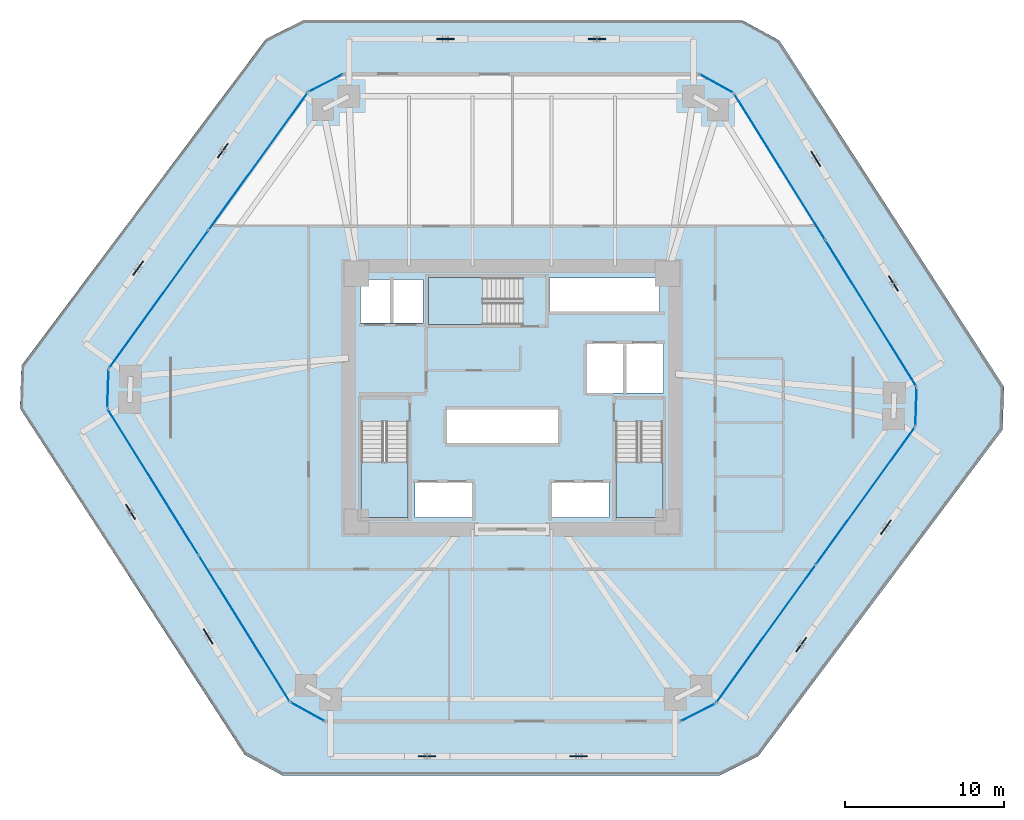
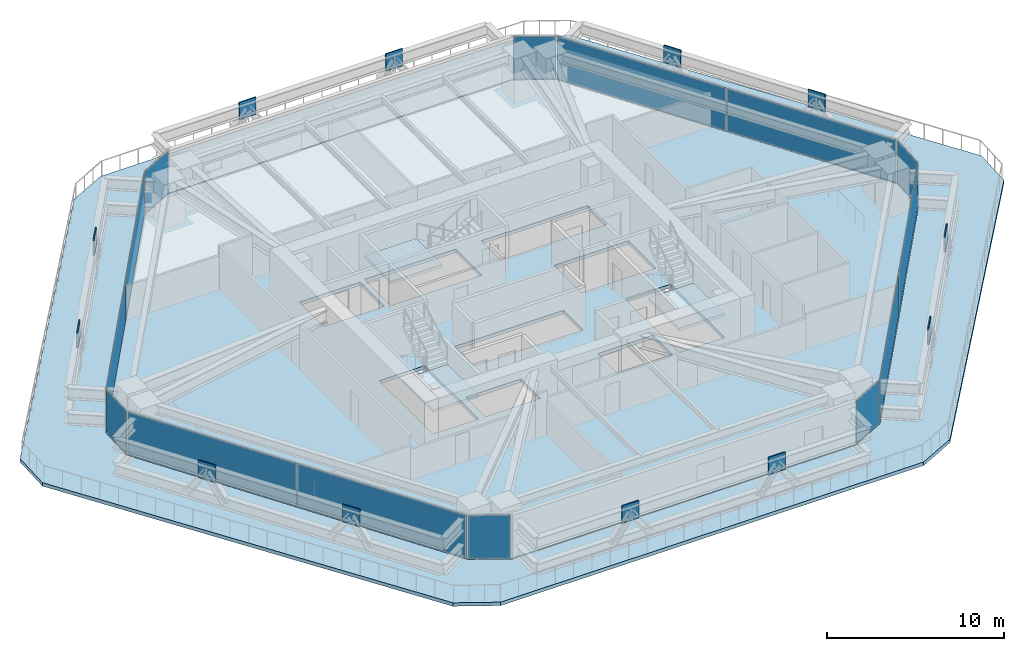
# One storey, part 10 of 20: 26 plates, 5 slabs, 13 elements without a shape of their own.
"""IFC4 building model written with IfcOpenShell, lengths in metres."""

from ifc_helpers import new_model, si_unit, direction, frame, origin, origin_2d, place, context, subcontext, project, spatial, polyline, rectangle, outline, extrude, source, transform, mapped, material, layer, layer_set, type_object, type_shapes, element, aggregate, save


model = new_model("IFC4")

# Units and contexts
model_context = context("Model", 3, precision=1e-05, world=origin(), true_north=direction((0.0, 1.0)))
body_context = subcontext(model_context, "Body", "Model", "MODEL_VIEW")
ifc_project = project(units=[si_unit("LENGTHUNIT", "METRE"), si_unit("AREAUNIT", "SQUARE_METRE"), si_unit("VOLUMEUNIT", "CUBIC_METRE"), si_unit("PLANEANGLEUNIT", "RADIAN"), si_unit("MASSUNIT", "GRAM", prefix="KILO")], contexts=[model_context])

# Site, building, storey
site_placement = place(None, origin())
site = spatial("IfcSite", under=ifc_project, at=site_placement, CompositionType="ELEMENT")
building_placement = place(site_placement, origin())
building = spatial("IfcBuilding", under=site, at=building_placement, Name="Durnholm Broadcast Tower", CompositionType="ELEMENT")
storey_placement = place(building_placement, frame((0.0, 0.0, 32.39990234375)))
storey = spatial("IfcBuildingStorey", under=building, at=storey_placement, Name="L06", CompositionType="ELEMENT", Elevation=32.39990234375)

# Slab
ifc_material_1 = material(Name="Concrete C50/60", Category="concrete")
ifc_layer_1 = layer(ifc_material_1, 0.239990234375)
ifc_layer_set_1 = layer_set([ifc_layer_1], Name="Concrete C50/60")
slab_type_1 = type_object("IfcSlabType", Name="SLAB-FLR-240", PredefinedType="FLOOR", material=ifc_layer_set_1)
slab_1_placement = place(storey_placement, frame((0.0, 0.0, -0.239990234375)))
element("IfcSlab", 1, at=slab_1_placement, inside=storey, type_object=slab_type_1, Name="L06 structural floor slab", PredefinedType="FLOOR", context=body_context, shape_type="SweptSolid", body=[
    extrude(outline(polyline([(-13.9794921875, -19.186279296875), (-11.793701171875, -20.39990234375), (10.6201171875, -20.39990234375), (12.845703125, -19.260986328125), (25.419921875, -1.820556640625), (25.50439453125, 0.677978515625), (13.9794921875, 19.186279296875), (11.793701171875, 20.39990234375), (-10.6201171875, 20.39990234375), (-12.845703125, 19.260986328125), (-25.419921875, 1.820556640625), (-25.50439453125, -0.677978515625), (-13.9794921875, -19.186279296875)]), holes=[polyline([(-2.5, -5.35009765625), (-6.10009765625, -5.35009765625), (-6.10009765625, -7.550048828125), (-2.5, -7.550048828125), (-2.5, -5.35009765625)]), polyline([(6.10009765625, -5.35009765625), (2.5, -5.35009765625), (2.5, -7.550048828125), (6.10009765625, -7.550048828125), (6.10009765625, -5.35009765625)]), polyline([(-6.5400390625, -7.550048828125), (-6.5400390625, -1.5), (-9.5, -1.5), (-9.5, -7.550048828125), (-6.5400390625, -7.550048828125)]), polyline([(9.5, -7.550048828125), (9.5, -1.5), (6.5400390625, -1.5), (6.5400390625, -7.550048828125), (9.5, -7.550048828125)]), polyline([(2.949951171875, -0.699951171875), (-4.14990234375, -0.699951171875), (-4.14990234375, -2.89990234375), (2.949951171875, -2.89990234375), (2.949951171875, -0.699951171875)]), polyline([(9.550048828125, 3.39990234375), (4.699951171875, 3.39990234375), (4.699951171875, 0.300048828125), (9.550048828125, 0.300048828125), (9.550048828125, 3.39990234375)]), polyline([(-5.60009765625, 7.449951171875), (-9.550048828125, 7.449951171875), (-9.550048828125, 4.699951171875), (-5.60009765625, 4.699951171875), (-5.60009765625, 7.449951171875)]), polyline([(-5.25, 7.56005859375), (-5.25, 4.60009765625), (0.699951171875, 4.60009765625), (0.699951171875, 7.56005859375), (-5.25, 7.56005859375)]), polyline([(9.31005859375, 5.39990234375), (9.31005859375, 7.550048828125), (2.35009765625, 7.550048828125), (2.35009765625, 5.39990234375), (9.31005859375, 5.39990234375)])]), origin(), (0.0, 0.0, 1.0), 0.239990234375),
])

# Stair, slab
stair_type = type_object("IfcStairType", Name="STAIR-DL-20R1650", PredefinedType="HALF_TURN_STAIR", material=ifc_material_1)
stair_1_placement = place(storey_placement, origin())
stair_1 = element("IfcStair", 2, at=stair_1_placement, inside=storey, type_object=stair_type, Name="L06 ST-1", PredefinedType="HALF_TURN_STAIR")
ifc_layer_2 = layer(ifc_material_1, 0.199951171875)
ifc_layer_set_2 = layer_set([ifc_layer_2], Name="Concrete C50/60")
slab_type_2 = type_object("IfcSlabType", Name="SLAB-LND-200", PredefinedType="LANDING", material=ifc_layer_set_2)
slab_2_placement = place(storey_placement, frame((0.0, 0.0, 1.4501953125)))
slab_2 = element("IfcSlab", 3, at=slab_2_placement, type_object=slab_type_2, Name="ST-1 landing 1", PredefinedType="LANDING", context=body_context, shape_type="SweptSolid", body=[
    extrude(outline(polyline([(-9.5, -4.06494140625), (-9.5, -7.550048828125), (-6.5400390625, -7.550048828125), (-6.5400390625, -4.06494140625), (-9.5, -4.06494140625)])), origin(), (0.0, 0.0, 1.0), 0.199951171875),
])
aggregate(stair_1, [slab_2])

stair_2_placement = place(storey_placement, origin())
stair_2 = element("IfcStair", 4, at=stair_2_placement, inside=storey, type_object=stair_type, Name="L06 ST-2", PredefinedType="HALF_TURN_STAIR")
slab_3_placement = place(storey_placement, frame((0.0, 0.0, 1.4501953125)))
slab_3 = element("IfcSlab", 5, at=slab_3_placement, type_object=slab_type_2, Name="ST-2 landing 1", PredefinedType="LANDING", context=body_context, shape_type="SweptSolid", body=[
    extrude(outline(polyline([(6.5400390625, -4.06494140625), (6.5400390625, -7.550048828125), (9.5, -7.550048828125), (9.5, -4.06494140625), (6.5400390625, -4.06494140625)])), origin(), (0.0, 0.0, 1.0), 0.199951171875),
])
aggregate(stair_2, [slab_3])

stair_3_placement = place(storey_placement, origin())
stair_3 = element("IfcStair", 6, at=stair_3_placement, inside=storey, type_object=stair_type, Name="L06 ST-3", PredefinedType="HALF_TURN_STAIR")
slab_4_placement = place(storey_placement, frame((0.0, 0.0, 1.4501953125)))
slab_4 = element("IfcSlab", 7, at=slab_4_placement, type_object=slab_type_2, Name="ST-3 landing 1", PredefinedType="LANDING", context=body_context, shape_type="SweptSolid", body=[
    extrude(outline(polyline([(-1.864990234375, 7.56005859375), (-5.25, 7.56005859375), (-5.25, 4.60009765625), (-1.864990234375, 4.60009765625), (-1.864990234375, 7.56005859375)])), origin(), (0.0, 0.0, 1.0), 0.199951171875),
])
aggregate(stair_3, [slab_4])

# Slab
ifc_layer_3 = layer(ifc_material_1, 0.239990234375)
ifc_layer_set_3 = layer_set([ifc_layer_3], Name="Concrete C50/60")
slab_type_3 = type_object("IfcSlabType", Name="SLAB-TERR-240", PredefinedType="FLOOR", material=ifc_layer_set_3)
slab_5_placement = place(storey_placement, frame((0.0, 0.0, -0.239990234375)))
element("IfcSlab", 8, at=slab_5_placement, inside=storey, type_object=slab_type_3, Name="L06 setback planted sky terrace slab 1", PredefinedType="FLOOR", context=body_context, shape_type="SweptSolid", body=[
    extrude(outline(polyline([(-31.00439453125, -0.681396484375), (-16.847412109375, -22.510986328125), (-14.47509765625, -23.800048828125), (13.102783203125, -23.800048828125), (15.51708984375, -22.59130859375), (30.913818359375, -2.01708984375), (31.00439453125, 0.681396484375), (16.847412109375, 22.510986328125), (14.47509765625, 23.800048828125), (-13.102783203125, 23.800048828125), (-15.51708984375, 22.59130859375), (-30.913818359375, 2.01708984375), (-31.00439453125, -0.681396484375)]), holes=[polyline([(-14.001220703125, -19.20703125), (-13.998779296875, -19.208984375), (-13.99658203125, -19.2109375), (-13.993896484375, -19.21240234375), (-11.808349609375, -20.42626953125), (-11.8056640625, -20.427490234375), (-11.802734375, -20.4287109375), (-11.7998046875, -20.429443359375), (-11.796875, -20.4296875), (-11.793701171875, -20.429931640625), (10.6201171875, -20.429931640625), (10.623046875, -20.429931640625), (10.625732421875, -20.429443359375), (10.628662109375, -20.4287109375), (10.63134765625, -20.427978515625), (10.6337890625, -20.4267578125), (12.859375, -19.28759765625), (12.86181640625, -19.286376953125), (12.864013671875, -19.28466796875), (12.8662109375, -19.28271484375), (12.868408203125, -19.28076171875), (12.8701171875, -19.278564453125), (25.444091796875, -1.837890625), (25.44580078125, -1.835693359375), (25.447021484375, -1.8330078125), (25.4482421875, -1.830078125), (25.448974609375, -1.827392578125), (25.449462890625, -1.824462890625), (25.44970703125, -1.821533203125), (25.534423828125, 0.677001953125), (25.5341796875, 0.679931640625), (25.533935546875, 0.68310546875), (25.533447265625, 0.685791015625), (25.532470703125, 0.688720703125), (25.53125, 0.69140625), (25.52978515625, 0.694091796875), (14.0048828125, 19.2021484375), (14.003173828125, 19.20458984375), (14.001220703125, 19.20703125), (13.998779296875, 19.208984375), (13.99658203125, 19.2109375), (13.993896484375, 19.21240234375), (11.808349609375, 20.42626953125), (11.8056640625, 20.427490234375), (11.802734375, 20.4287109375), (11.7998046875, 20.429443359375), (11.796875, 20.4296875), (11.793701171875, 20.429931640625), (-10.6201171875, 20.429931640625), (-10.623046875, 20.429931640625), (-10.625732421875, 20.429443359375), (-10.628662109375, 20.4287109375), (-10.63134765625, 20.427978515625), (-10.6337890625, 20.4267578125), (-12.859375, 19.28759765625), (-12.86181640625, 19.286376953125), (-12.864013671875, 19.28466796875), (-12.8662109375, 19.28271484375), (-12.868408203125, 19.28076171875), (-12.8701171875, 19.278564453125), (-25.444091796875, 1.837890625), (-25.44580078125, 1.835693359375), (-25.447021484375, 1.8330078125), (-25.4482421875, 1.830078125), (-25.448974609375, 1.827392578125), (-25.449462890625, 1.824462890625), (-25.44970703125, 1.821533203125), (-25.534423828125, -0.677001953125), (-25.5341796875, -0.679931640625), (-25.533935546875, -0.68310546875), (-25.533447265625, -0.685791015625), (-25.532470703125, -0.688720703125), (-25.53125, -0.69140625), (-25.52978515625, -0.694091796875), (-14.0048828125, -19.2021484375), (-14.003173828125, -19.20458984375), (-14.001220703125, -19.20703125)])]), origin(), (0.0, 0.0, 1.0), 0.239990234375),
])

# Plates
ifc_material_2 = material(Name="Steel ASTM A572 Grade 50", Category="steel")
ifc_layer_4 = layer(ifc_material_2, 0.074951171875)
ifc_layer_set_4 = layer_set([ifc_layer_4], Name="Steel ASTM A572 Grade 50")
plate_type_1 = type_object("IfcPlateType", Name="PLT-KN03-GUS", PredefinedType="USERDEFINED", material=ifc_layer_set_4)
shared_shape_1 = source(origin(), body_context, "Body", "SweptSolid", [
    extrude(rectangle(XDim=1.10009765625, YDim=0.074951171875, at=origin_2d()), origin(), (0.0, 0.0, 1.0), 1.199951171875),
])
type_shapes(plate_type_1, [shared_shape_1])
for number, where, z_axis, x_axis, name in (
    (9, (-5.351318359375, -22.60009765625, 1.70849609375), (0.0, 0.0, 1.0), (1.0, 0.0, 0.0), "L06 welded diagrid node gusset plate KN03 F1"),
    (10, (4.202880859375, -22.60009765625, 1.70849609375), (0.0, 0.0, 1.0), (1.0, 0.0, 0.0), "L06 welded diagrid node gusset plate KN03 F1"),
    (11, (18.223388671875, -15.56396484375, 1.70849609375), (0.0, 0.0, 1.0), (0.584816108738, 0.81116590101, 0.0), "L06 welded diagrid node gusset plate KN03 F2"),
    (12, (23.5595703125, -8.16259765625, 1.70849609375), (0.0, 0.0, 1.0), (0.584816108738, 0.81116590101, 0.0), "L06 welded diagrid node gusset plate KN03 F2"),
    (13, (24.036376953125, 7.197509765625, 1.70849609375), (0.0, 0.0, 1.0), (-0.528586500185, 0.848879444811, 0.0), "L06 welded diagrid node gusset plate KN03 F3"),
    (14, (19.14892578125, 15.04638671875, 1.70849609375), (0.0, 0.0, 1.0), (-0.528586500185, 0.848879444811, 0.0), "L06 welded diagrid node gusset plate KN03 F3"),
    (15, (5.351318359375, 22.60009765625, 1.70849609375), (0.0, 0.0, 1.0), (-1.0, 0.0, 0.0), "L06 welded diagrid node gusset plate KN03 F4"),
    (16, (-4.202880859375, 22.60009765625, 1.70849609375), (0.0, 0.0, 1.0), (-1.0, 0.0, 0.0), "L06 welded diagrid node gusset plate KN03 F4"),
    (17, (-18.223388671875, 15.56396484375, 1.70849609375), (0.0, 0.0, 1.0), (-0.584816108738, -0.81116590101, 0.0), "L06 welded diagrid node gusset plate KN03 F5"),
    (18, (-23.5595703125, 8.16259765625, 1.70849609375), (0.0, 0.0, 1.0), (-0.584816108738, -0.81116590101, 0.0), "L06 welded diagrid node gusset plate KN03 F5"),
    (19, (-24.036376953125, -7.197509765625, 1.70849609375), (0.0, 0.0, 1.0), (0.528586500185, -0.848879444811, 0.0), "L06 welded diagrid node gusset plate KN03 F6"),
    (20, (-19.14892578125, -15.04638671875, 1.70849609375), (0.0, 0.0, 1.0), (0.528586500185, -0.848879444811, 0.0), "L06 welded diagrid node gusset plate KN03 F6"),
):
    element("IfcPlate", number, at=place(storey_placement, frame(where, z_axis=z_axis, x_axis=x_axis)), inside=storey, type_object=plate_type_1, Name=name, ObjectType="GUSSET_PLATE", PredefinedType="USERDEFINED", context=body_context, shape_type="MappedRepresentation", body=[
        mapped(shared_shape_1, transform((0.0, 0.0, 0.0), x_axis=(1.0, 0.0, 0.0), y_axis=(0.0, 1.0, 0.0), z_axis=(0.0, 0.0, 1.0), scale=1.0)),
    ])

# Curtain wall, plate
ifc_material_3 = material(Name="Aluminium and Solar Control IGU", Category="aluminium")
ifc_layer_5 = layer(ifc_material_3, 0.1650390625)
ifc_layer_set_5 = layer_set([ifc_layer_5], Name="Aluminium and Solar Control IGU")
curtain_wall_type_1 = type_object("IfcCurtainWallType", Name="CW-SYS-5", PredefinedType="NOTDEFINED", material=ifc_layer_set_5)
curtain_wall_1_placement = place(storey_placement, origin())
curtain_wall_1 = element("IfcCurtainWall", 21, at=curtain_wall_1_placement, inside=storey, type_object=curtain_wall_type_1, Name="L06 curtain wall CW-CORNER CW-L06-CRN-01", PredefinedType="NOTDEFINED")
ifc_material_4 = material(Name="Low-E Laminated Insulating Glass", Category="glass")
ifc_layer_6 = layer(ifc_material_4, 0.030029296875)
ifc_layer_set_6 = layer_set([ifc_layer_6], Name="Low-E Laminated Insulating Glass")
plate_type_2 = type_object("IfcPlateType", Name="CW-SYS-5-PNL", PredefinedType="CURTAIN_PANEL", material=ifc_layer_set_6)
shared_shape_2 = source(origin(), body_context, "Body", "SweptSolid", [
    extrude(rectangle(XDim=2.3701171875, YDim=0.030029296875, at=origin_2d()), origin(), (0.0, 0.0, 1.0), 2.929931640625),
])
plate_1_placement = place(storey_placement, frame((-25.462158203125, 0.5712890625, 0.06494140625), z_axis=(0.0, 0.0, 1.0), x_axis=(0.033839569233, 0.999427277772, 0.0)))
plate_1 = element("IfcPlate", 22, at=plate_1_placement, type_object=plate_type_2, Name="CW-CORNER panel 1.1", PredefinedType="CURTAIN_PANEL", context=body_context, shape_type="MappedRepresentation", body=[
    mapped(shared_shape_2, transform((0.0, 0.0, 0.0), x_axis=(1.0, 0.0, 0.0), y_axis=(0.0, 1.0, 0.0), z_axis=(0.0, 0.0, 1.0), scale=1.0)),
])
aggregate(curtain_wall_1, [plate_1])

curtain_wall_2_placement = place(storey_placement, origin())
curtain_wall_2 = element("IfcCurtainWall", 23, at=curtain_wall_2_placement, inside=storey, type_object=curtain_wall_type_1, Name="L06 curtain wall CW-CORNER CW-L06-CRN-03", PredefinedType="NOTDEFINED")
plate_2_placement = place(storey_placement, frame((-11.73291015625, 19.83056640625, 0.06494140625), z_axis=(0.0, 0.0, 1.0), x_axis=(0.890187804512, 0.455593758406, 0.0)))
plate_2 = element("IfcPlate", 24, at=plate_2_placement, type_object=plate_type_2, Name="CW-CORNER panel 1.1", PredefinedType="CURTAIN_PANEL", context=body_context, shape_type="MappedRepresentation", body=[
    mapped(shared_shape_2, transform((0.0, 0.0, 0.0), x_axis=(1.0, 0.0, 0.0), y_axis=(0.0, 1.0, 0.0), z_axis=(0.0, 0.0, 1.0), scale=1.0)),
])
aggregate(curtain_wall_2, [plate_2])

curtain_wall_3_placement = place(storey_placement, origin())
curtain_wall_3 = element("IfcCurtainWall", 25, at=curtain_wall_3_placement, inside=storey, type_object=curtain_wall_type_1, Name="L06 curtain wall CW-CORNER CW-L06-CRN-07", PredefinedType="NOTDEFINED")
plate_3_placement = place(storey_placement, frame((25.462158203125, -0.5712890625, 0.06494140625), z_axis=(0.0, 0.0, 1.0), x_axis=(-0.033839569233, -0.999427277772, 0.0)))
plate_3 = element("IfcPlate", 26, at=plate_3_placement, type_object=plate_type_2, Name="CW-CORNER panel 1.1", PredefinedType="CURTAIN_PANEL", context=body_context, shape_type="MappedRepresentation", body=[
    mapped(shared_shape_2, transform((0.0, 0.0, 0.0), x_axis=(1.0, 0.0, 0.0), y_axis=(0.0, 1.0, 0.0), z_axis=(0.0, 0.0, 1.0), scale=1.0)),
])
aggregate(curtain_wall_3, [plate_3])

curtain_wall_4_placement = place(storey_placement, origin())
curtain_wall_4 = element("IfcCurtainWall", 27, at=curtain_wall_4_placement, inside=storey, type_object=curtain_wall_type_1, Name="L06 curtain wall CW-CORNER CW-L06-CRN-09", PredefinedType="NOTDEFINED")
plate_4_placement = place(storey_placement, frame((11.73291015625, -19.83056640625, 0.06494140625), z_axis=(0.0, 0.0, 1.0), x_axis=(-0.890187804512, -0.455593758406, 0.0)))
plate_4 = element("IfcPlate", 28, at=plate_4_placement, type_object=plate_type_2, Name="CW-CORNER panel 1.1", PredefinedType="CURTAIN_PANEL", context=body_context, shape_type="MappedRepresentation", body=[
    mapped(shared_shape_2, transform((0.0, 0.0, 0.0), x_axis=(1.0, 0.0, 0.0), y_axis=(0.0, 1.0, 0.0), z_axis=(0.0, 0.0, 1.0), scale=1.0)),
])
aggregate(curtain_wall_4, [plate_4])

# Curtain wall, plates
ifc_layer_7 = layer(ifc_material_3, 0.18994140625)
ifc_layer_set_7 = layer_set([ifc_layer_7], Name="Aluminium and Solar Control IGU")
curtain_wall_type_2 = type_object("IfcCurtainWallType", Name="CW-SYS-3", PredefinedType="NOTDEFINED", material=ifc_layer_set_7)
curtain_wall_5_placement = place(storey_placement, origin())
curtain_wall_5 = element("IfcCurtainWall", 29, at=curtain_wall_5_placement, inside=storey, type_object=curtain_wall_type_2, Name="L06 curtain wall CW-Z12-VIS CW-L06-F02", PredefinedType="NOTDEFINED")
ifc_layer_8 = layer(ifc_material_4, 0.031982421875)
ifc_layer_set_8 = layer_set([ifc_layer_8], Name="Low-E Laminated Insulating Glass")
plate_type_3 = type_object("IfcPlateType", Name="CW-SYS-3-PNL", PredefinedType="CURTAIN_PANEL", material=ifc_layer_set_8)
shared_shape_3 = source(origin(), body_context, "Body", "SweptSolid", [
    extrude(rectangle(XDim=10.645263671875, YDim=0.031982421875, at=origin_2d()), origin(), (0.0, 0.0, 1.0), 2.919921875),
])
plate_5_placement = place(storey_placement, frame((-22.26611328125, 6.19482421875, 0.070068359375), z_axis=(0.0, 0.0, 1.0), x_axis=(0.584823496176, 0.81116057493, 0.0)))
plate_5 = element("IfcPlate", 30, at=plate_5_placement, type_object=plate_type_3, Name="CW-Z12-VIS panel 1.1", PredefinedType="CURTAIN_PANEL", context=body_context, shape_type="MappedRepresentation", body=[
    mapped(shared_shape_3, transform((0.0, 0.0, 0.0), x_axis=(1.0, 0.0, 0.0), y_axis=(0.0, 1.0, 0.0), z_axis=(0.0, 0.0, 1.0), scale=1.0)),
])
plate_6_placement = place(storey_placement, frame((-15.99951171875, 14.88671875, 0.070068359375), z_axis=(0.0, 0.0, 1.0), x_axis=(0.584823496176, 0.81116057493, 0.0)))
plate_6 = element("IfcPlate", 31, at=plate_6_placement, type_object=plate_type_3, Name="CW-Z12-VIS panel 2.1", PredefinedType="CURTAIN_PANEL", context=body_context, shape_type="MappedRepresentation", body=[
    mapped(shared_shape_3, transform((0.0, 0.0, 0.0), x_axis=(1.0, 0.0, 0.0), y_axis=(0.0, 1.0, 0.0), z_axis=(0.0, 0.0, 1.0), scale=1.0)),
])
aggregate(curtain_wall_5, [plate_5, plate_6])

curtain_wall_6_placement = place(storey_placement, origin())
curtain_wall_6 = element("IfcCurtainWall", 32, at=curtain_wall_6_placement, inside=storey, type_object=curtain_wall_type_2, Name="L06 curtain wall CW-Z12-VIS CW-L06-F08", PredefinedType="NOTDEFINED")
plate_7_placement = place(storey_placement, frame((22.26611328125, -6.19482421875, 0.070068359375), z_axis=(0.0, 0.0, 1.0), x_axis=(-0.584823496176, -0.81116057493, 0.0)))
plate_7 = element("IfcPlate", 33, at=plate_7_placement, type_object=plate_type_3, Name="CW-Z12-VIS panel 1.1", PredefinedType="CURTAIN_PANEL", context=body_context, shape_type="MappedRepresentation", body=[
    mapped(shared_shape_3, transform((0.0, 0.0, 0.0), x_axis=(1.0, 0.0, 0.0), y_axis=(0.0, 1.0, 0.0), z_axis=(0.0, 0.0, 1.0), scale=1.0)),
])
plate_8_placement = place(storey_placement, frame((15.99951171875, -14.88671875, 0.070068359375), z_axis=(0.0, 0.0, 1.0), x_axis=(-0.584823496176, -0.81116057493, 0.0)))
plate_8 = element("IfcPlate", 34, at=plate_8_placement, type_object=plate_type_3, Name="CW-Z12-VIS panel 2.1", PredefinedType="CURTAIN_PANEL", context=body_context, shape_type="MappedRepresentation", body=[
    mapped(shared_shape_3, transform((0.0, 0.0, 0.0), x_axis=(1.0, 0.0, 0.0), y_axis=(0.0, 1.0, 0.0), z_axis=(0.0, 0.0, 1.0), scale=1.0)),
])
aggregate(curtain_wall_6, [plate_7, plate_8])

# Curtain wall, plate
curtain_wall_7_placement = place(storey_placement, origin())
curtain_wall_7 = element("IfcCurtainWall", 35, at=curtain_wall_7_placement, inside=storey, type_object=curtain_wall_type_1, Name="L06 curtain wall CW-CORNER CW-L06-CRN-05", PredefinedType="NOTDEFINED")
shared_shape_4 = source(origin(), body_context, "Body", "SweptSolid", [
    extrude(rectangle(XDim=2.369873046875, YDim=0.030029296875, at=origin_2d()), origin(), (0.0, 0.0, 1.0), 2.929931640625),
])
type_shapes(plate_type_2, [shared_shape_2, shared_shape_4])
plate_9_placement = place(storey_placement, frame((12.88671875, 19.793212890625, 0.06494140625), z_axis=(0.0, 0.0, 1.0), x_axis=(0.874245941394, -0.485483299359, 0.0)))
plate_9 = element("IfcPlate", 36, at=plate_9_placement, type_object=plate_type_2, Name="CW-CORNER panel 1.1", PredefinedType="CURTAIN_PANEL", context=body_context, shape_type="MappedRepresentation", body=[
    mapped(shared_shape_4, transform((0.0, 0.0, 0.0), x_axis=(1.0, 0.0, 0.0), y_axis=(0.0, 1.0, 0.0), z_axis=(0.0, 0.0, 1.0), scale=1.0)),
])
aggregate(curtain_wall_7, [plate_9])

curtain_wall_8_placement = place(storey_placement, origin())
curtain_wall_8 = element("IfcCurtainWall", 37, at=curtain_wall_8_placement, inside=storey, type_object=curtain_wall_type_1, Name="L06 curtain wall CW-CORNER CW-L06-CRN-11", PredefinedType="NOTDEFINED")
plate_10_placement = place(storey_placement, frame((-12.88671875, -19.793212890625, 0.06494140625), z_axis=(0.0, 0.0, 1.0), x_axis=(-0.874245941394, 0.485483299359, 0.0)))
plate_10 = element("IfcPlate", 38, at=plate_10_placement, type_object=plate_type_2, Name="CW-CORNER panel 1.1", PredefinedType="CURTAIN_PANEL", context=body_context, shape_type="MappedRepresentation", body=[
    mapped(shared_shape_4, transform((0.0, 0.0, 0.0), x_axis=(1.0, 0.0, 0.0), y_axis=(0.0, 1.0, 0.0), z_axis=(0.0, 0.0, 1.0), scale=1.0)),
])
aggregate(curtain_wall_8, [plate_10])

# Curtain wall, plates
curtain_wall_9_placement = place(storey_placement, origin())
curtain_wall_9 = element("IfcCurtainWall", 39, at=curtain_wall_9_placement, inside=storey, type_object=curtain_wall_type_2, Name="L06 curtain wall CW-Z12-VIS CW-L06-F06", PredefinedType="NOTDEFINED")
shared_shape_5 = source(origin(), body_context, "Body", "SweptSolid", [
    extrude(rectangle(XDim=10.796630859375, YDim=0.031982421875, at=origin_2d()), origin(), (0.0, 0.0, 1.0), 2.919921875),
])
type_shapes(plate_type_3, [shared_shape_3, shared_shape_5])
plate_11_placement = place(storey_placement, frame((16.869873046875, 14.54443359375, 0.070068359375), z_axis=(0.0, 0.0, 1.0), x_axis=(0.528592376777, -0.848875785503, 0.0)))
plate_11 = element("IfcPlate", 40, at=plate_11_placement, type_object=plate_type_3, Name="CW-Z12-VIS panel 1.1", PredefinedType="CURTAIN_PANEL", context=body_context, shape_type="MappedRepresentation", body=[
    mapped(shared_shape_5, transform((0.0, 0.0, 0.0), x_axis=(1.0, 0.0, 0.0), y_axis=(0.0, 1.0, 0.0), z_axis=(0.0, 0.0, 1.0), scale=1.0)),
])
plate_12_placement = place(storey_placement, frame((22.614013671875, 5.320068359375, 0.070068359375), z_axis=(0.0, 0.0, 1.0), x_axis=(0.528592376777, -0.848875785503, 0.0)))
plate_12 = element("IfcPlate", 41, at=plate_12_placement, type_object=plate_type_3, Name="CW-Z12-VIS panel 2.1", PredefinedType="CURTAIN_PANEL", context=body_context, shape_type="MappedRepresentation", body=[
    mapped(shared_shape_5, transform((0.0, 0.0, 0.0), x_axis=(1.0, 0.0, 0.0), y_axis=(0.0, 1.0, 0.0), z_axis=(0.0, 0.0, 1.0), scale=1.0)),
])
aggregate(curtain_wall_9, [plate_11, plate_12])

curtain_wall_10_placement = place(storey_placement, origin())
curtain_wall_10 = element("IfcCurtainWall", 42, at=curtain_wall_10_placement, inside=storey, type_object=curtain_wall_type_2, Name="L06 curtain wall CW-Z12-VIS CW-L06-F12", PredefinedType="NOTDEFINED")
plate_13_placement = place(storey_placement, frame((-16.869873046875, -14.54443359375, 0.070068359375), z_axis=(0.0, 0.0, 1.0), x_axis=(-0.528592376777, 0.848875785503, 0.0)))
plate_13 = element("IfcPlate", 43, at=plate_13_placement, type_object=plate_type_3, Name="CW-Z12-VIS panel 1.1", PredefinedType="CURTAIN_PANEL", context=body_context, shape_type="MappedRepresentation", body=[
    mapped(shared_shape_5, transform((0.0, 0.0, 0.0), x_axis=(1.0, 0.0, 0.0), y_axis=(0.0, 1.0, 0.0), z_axis=(0.0, 0.0, 1.0), scale=1.0)),
])
plate_14_placement = place(storey_placement, frame((-22.614013671875, -5.320068359375, 0.070068359375), z_axis=(0.0, 0.0, 1.0), x_axis=(-0.528592376777, 0.848875785503, 0.0)))
plate_14 = element("IfcPlate", 44, at=plate_14_placement, type_object=plate_type_3, Name="CW-Z12-VIS panel 2.1", PredefinedType="CURTAIN_PANEL", context=body_context, shape_type="MappedRepresentation", body=[
    mapped(shared_shape_5, transform((0.0, 0.0, 0.0), x_axis=(1.0, 0.0, 0.0), y_axis=(0.0, 1.0, 0.0), z_axis=(0.0, 0.0, 1.0), scale=1.0)),
])
aggregate(curtain_wall_10, [plate_13, plate_14])

save(model, "model.ifc")
